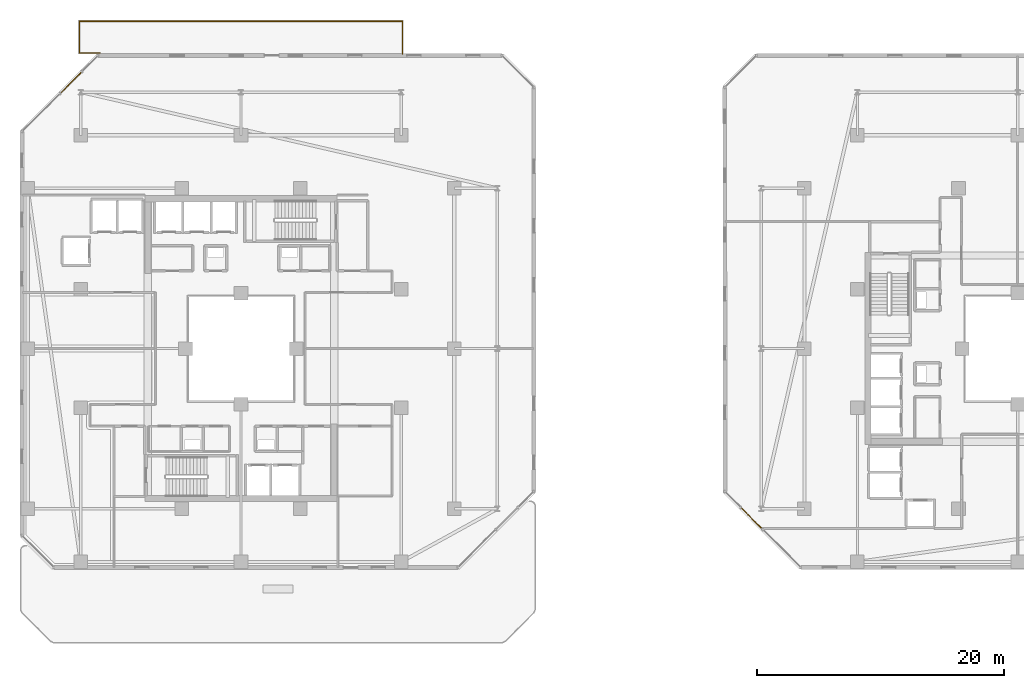
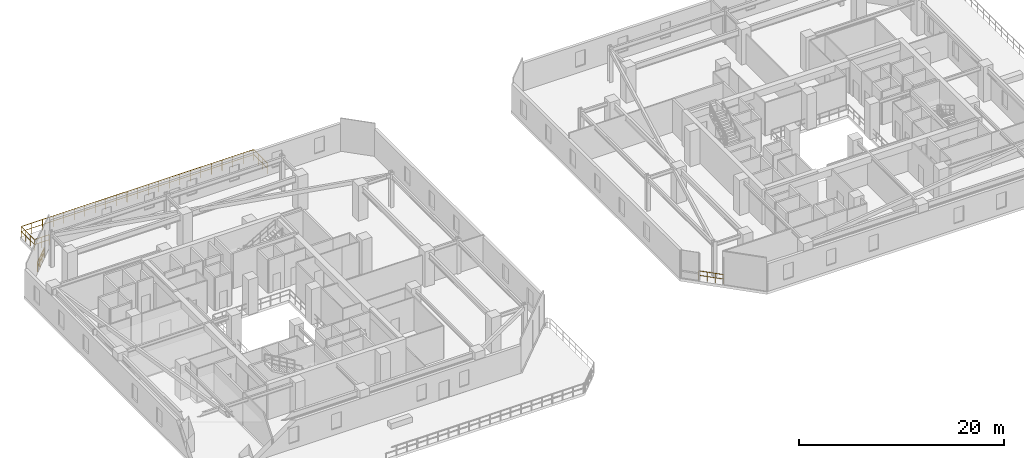
# One storey, part 31 of 33: 3 railings.
"""IFC4 building model written with IfcOpenShell, lengths in metres."""

from ifc_helpers import new_model, si_unit, direction, frame, origin, origin_2d, place, context, subcontext, project, spatial, rectangle, extrude, material, type_object, element, save


model = new_model("IFC4")

# Units and contexts
model_context = context("Model", 3, precision=1e-05, world=origin(), true_north=direction((0.0, 1.0)))
body_context = subcontext(model_context, "Body", "Model", "MODEL_VIEW")
ifc_project = project(units=[si_unit("LENGTHUNIT", "METRE"), si_unit("AREAUNIT", "SQUARE_METRE"), si_unit("VOLUMEUNIT", "CUBIC_METRE"), si_unit("PLANEANGLEUNIT", "RADIAN"), si_unit("MASSUNIT", "GRAM", prefix="KILO")], contexts=[model_context])

# Site, building, storey
site_placement = place(None, origin())
site = spatial("IfcSite", under=ifc_project, at=site_placement, CompositionType="ELEMENT")
building_placement = place(site_placement, origin())
building = spatial("IfcBuilding", under=site, at=building_placement, Name="Thornwick Lancets Civic Towers", CompositionType="ELEMENT")
storey_placement = place(building_placement, frame((0.0, 0.0, 174.300048828125)))
storey = spatial("IfcBuildingStorey", under=building, at=storey_placement, Name="L46", CompositionType="ELEMENT", Elevation=174.300048828125)

# Railings
ifc_material_1 = material(Name="Structural laminated glass wind-guard S355", Category="steel")
railing_type_1 = type_object("IfcRailingType", Name="RAIL_POOL_GUARD", PredefinedType="GUARDRAIL", material=ifc_material_1)
railing_1_placement = place(storey_placement, frame((14.050048828125, 50.97998046875, 0.0)))
element("IfcRailing", 1, at=railing_1_placement, inside=storey, type_object=railing_type_1, Name="L46 Cantilevered Sky Pool Guard", PredefinedType="GUARDRAIL", context=body_context, shape_type="SweptSolid", body=[
    extrude(rectangle(XDim=0.048095703125, YDim=0.048095703125, at=origin_2d()), frame((0.0, 0.0, 1.27587890625), z_axis=(-1.0, 0.0, 0.0), x_axis=(0.0, -1.0, 0.0)), (0.0, 0.0, 1.0), 1.618896484375),
    extrude(rectangle(XDim=0.0419921875, YDim=0.0419921875, at=origin_2d()), frame((-0.03759765625, 0.0, 0.676025390625), z_axis=(-1.0, 0.0, 0.0), x_axis=(0.0, -1.0, 0.0)), (0.0, 0.0, 1.0), 0.75),
    extrude(rectangle(XDim=0.0419921875, YDim=0.0419921875, at=origin_2d()), frame((-0.862548828125, 0.0, 0.676025390625), z_axis=(-1.0, 0.0, 0.0), x_axis=(0.0, -1.0, 0.0)), (0.0, 0.0, 1.0), 0.75),
    extrude(rectangle(XDim=0.048095703125, YDim=0.048095703125, at=origin_2d()), frame((-1.650146484375, 0.03125, 1.27587890625), z_axis=(0.0, 1.0, 0.0), x_axis=(-1.0, 0.0, 0.0)), (0.0, 0.0, 1.0), 2.507568359375),
    extrude(rectangle(XDim=0.0419921875, YDim=0.0419921875, at=origin_2d()), frame((-1.650146484375, 0.03759765625, 0.676025390625), z_axis=(0.0, 1.0, 0.0), x_axis=(-1.0, 0.0, 0.0)), (0.0, 0.0, 1.0), 0.78173828125),
    extrude(rectangle(XDim=0.0419921875, YDim=0.0419921875, at=origin_2d()), frame((-1.650146484375, 0.894287109375, 0.676025390625), z_axis=(0.0, 1.0, 0.0), x_axis=(-1.0, 0.0, 0.0)), (0.0, 0.0, 1.0), 0.78173828125),
    extrude(rectangle(XDim=0.0419921875, YDim=0.0419921875, at=origin_2d()), frame((-1.650146484375, 1.7509765625, 0.676025390625), z_axis=(0.0, 1.0, 0.0), x_axis=(-1.0, 0.0, 0.0)), (0.0, 0.0, 1.0), 0.78173828125),
    extrude(rectangle(XDim=0.048095703125, YDim=0.048095703125, at=origin_2d()), frame((-1.618896484375, 2.570068359375, 1.27587890625), z_axis=(1.0, 0.0, 0.0), x_axis=(0.0, 1.0, 0.0)), (0.0, 0.0, 1.0), 26.1376953125),
    extrude(rectangle(XDim=0.0419921875, YDim=0.0419921875, at=origin_2d()), frame((-1.612548828125, 2.570068359375, 0.676025390625), z_axis=(1.0, 0.0, 0.0), x_axis=(0.0, 1.0, 0.0)), (0.0, 0.0, 1.0), 1.115966796875),
    extrude(rectangle(XDim=0.0419921875, YDim=0.0419921875, at=origin_2d()), frame((-0.421630859375, 2.570068359375, 0.676025390625), z_axis=(1.0, 0.0, 0.0), x_axis=(0.0, 1.0, 0.0)), (0.0, 0.0, 1.0), 1.115966796875),
    extrude(rectangle(XDim=0.0419921875, YDim=0.0419921875, at=origin_2d()), frame((0.769287109375, 2.570068359375, 0.676025390625), z_axis=(1.0, 0.0, 0.0), x_axis=(0.0, 1.0, 0.0)), (0.0, 0.0, 1.0), 1.115966796875),
    extrude(rectangle(XDim=0.0419921875, YDim=0.0419921875, at=origin_2d()), frame((1.960205078125, 2.570068359375, 0.676025390625), z_axis=(1.0, 0.0, 0.0), x_axis=(0.0, 1.0, 0.0)), (0.0, 0.0, 1.0), 1.115966796875),
    extrude(rectangle(XDim=0.0419921875, YDim=0.0419921875, at=origin_2d()), frame((3.151123046875, 2.570068359375, 0.676025390625), z_axis=(1.0, 0.0, 0.0), x_axis=(0.0, 1.0, 0.0)), (0.0, 0.0, 1.0), 1.115966796875),
    extrude(rectangle(XDim=0.0419921875, YDim=0.0419921875, at=origin_2d()), frame((4.342041015625, 2.570068359375, 0.676025390625), z_axis=(1.0, 0.0, 0.0), x_axis=(0.0, 1.0, 0.0)), (0.0, 0.0, 1.0), 1.115966796875),
    extrude(rectangle(XDim=0.0419921875, YDim=0.0419921875, at=origin_2d()), frame((5.532958984375, 2.570068359375, 0.676025390625), z_axis=(1.0, 0.0, 0.0), x_axis=(0.0, 1.0, 0.0)), (0.0, 0.0, 1.0), 1.115966796875),
    extrude(rectangle(XDim=0.0419921875, YDim=0.0419921875, at=origin_2d()), frame((6.723876953125, 2.570068359375, 0.676025390625), z_axis=(1.0, 0.0, 0.0), x_axis=(0.0, 1.0, 0.0)), (0.0, 0.0, 1.0), 1.115966796875),
    extrude(rectangle(XDim=0.0419921875, YDim=0.0419921875, at=origin_2d()), frame((7.914794921875, 2.570068359375, 0.676025390625), z_axis=(1.0, 0.0, 0.0), x_axis=(0.0, 1.0, 0.0)), (0.0, 0.0, 1.0), 1.115966796875),
    extrude(rectangle(XDim=0.0419921875, YDim=0.0419921875, at=origin_2d()), frame((9.105712890625, 2.570068359375, 0.676025390625), z_axis=(1.0, 0.0, 0.0), x_axis=(0.0, 1.0, 0.0)), (0.0, 0.0, 1.0), 1.115966796875),
    extrude(rectangle(XDim=0.0419921875, YDim=0.0419921875, at=origin_2d()), frame((10.296630859375, 2.570068359375, 0.676025390625), z_axis=(1.0, 0.0, 0.0), x_axis=(0.0, 1.0, 0.0)), (0.0, 0.0, 1.0), 1.115966796875),
    extrude(rectangle(XDim=0.0419921875, YDim=0.0419921875, at=origin_2d()), frame((11.487548828125, 2.570068359375, 0.676025390625), z_axis=(1.0, 0.0, 0.0), x_axis=(0.0, 1.0, 0.0)), (0.0, 0.0, 1.0), 1.115966796875),
    extrude(rectangle(XDim=0.0419921875, YDim=0.0419921875, at=origin_2d()), frame((12.678466796875, 2.570068359375, 0.676025390625), z_axis=(1.0, 0.0, 0.0), x_axis=(0.0, 1.0, 0.0)), (0.0, 0.0, 1.0), 1.115966796875),
    extrude(rectangle(XDim=0.0419921875, YDim=0.0419921875, at=origin_2d()), frame((13.869384765625, 2.570068359375, 0.676025390625), z_axis=(1.0, 0.0, 0.0), x_axis=(0.0, 1.0, 0.0)), (0.0, 0.0, 1.0), 1.115966796875),
    extrude(rectangle(XDim=0.0419921875, YDim=0.0419921875, at=origin_2d()), frame((15.060302734375, 2.570068359375, 0.676025390625), z_axis=(1.0, 0.0, 0.0), x_axis=(0.0, 1.0, 0.0)), (0.0, 0.0, 1.0), 1.115966796875),
    extrude(rectangle(XDim=0.0419921875, YDim=0.0419921875, at=origin_2d()), frame((16.251220703125, 2.570068359375, 0.676025390625), z_axis=(1.0, 0.0, 0.0), x_axis=(0.0, 1.0, 0.0)), (0.0, 0.0, 1.0), 1.115966796875),
    extrude(rectangle(XDim=0.0419921875, YDim=0.0419921875, at=origin_2d()), frame((17.442138671875, 2.570068359375, 0.676025390625), z_axis=(1.0, 0.0, 0.0), x_axis=(0.0, 1.0, 0.0)), (0.0, 0.0, 1.0), 1.115966796875),
    extrude(rectangle(XDim=0.0419921875, YDim=0.0419921875, at=origin_2d()), frame((18.633056640625, 2.570068359375, 0.676025390625), z_axis=(1.0, 0.0, 0.0), x_axis=(0.0, 1.0, 0.0)), (0.0, 0.0, 1.0), 1.115966796875),
    extrude(rectangle(XDim=0.0419921875, YDim=0.0419921875, at=origin_2d()), frame((19.823974609375, 2.570068359375, 0.676025390625), z_axis=(1.0, 0.0, 0.0), x_axis=(0.0, 1.0, 0.0)), (0.0, 0.0, 1.0), 1.115966796875),
    extrude(rectangle(XDim=0.0419921875, YDim=0.0419921875, at=origin_2d()), frame((21.014892578125, 2.570068359375, 0.676025390625), z_axis=(1.0, 0.0, 0.0), x_axis=(0.0, 1.0, 0.0)), (0.0, 0.0, 1.0), 1.115966796875),
    extrude(rectangle(XDim=0.0419921875, YDim=0.0419921875, at=origin_2d()), frame((22.205810546875, 2.570068359375, 0.676025390625), z_axis=(1.0, 0.0, 0.0), x_axis=(0.0, 1.0, 0.0)), (0.0, 0.0, 1.0), 1.115966796875),
    extrude(rectangle(XDim=0.0419921875, YDim=0.0419921875, at=origin_2d()), frame((23.396728515625, 2.570068359375, 0.676025390625), z_axis=(1.0, 0.0, 0.0), x_axis=(0.0, 1.0, 0.0)), (0.0, 0.0, 1.0), 1.115966796875),
    extrude(rectangle(XDim=0.048095703125, YDim=0.048095703125, at=origin_2d()), frame((24.550048828125, 2.538818359375, 1.27587890625), z_axis=(0.0, -1.0, 0.0), x_axis=(1.0, 0.0, 0.0)), (0.0, 0.0, 1.0), 2.618896484375),
    extrude(rectangle(XDim=0.0419921875, YDim=0.0419921875, at=origin_2d()), frame((24.550048828125, 2.532470703125, 0.676025390625), z_axis=(0.0, -1.0, 0.0), x_axis=(1.0, 0.0, 0.0)), (0.0, 0.0, 1.0), 0.808349609375),
    extrude(rectangle(XDim=0.0419921875, YDim=0.0419921875, at=origin_2d()), frame((24.550048828125, 1.649169921875, 0.676025390625), z_axis=(0.0, -1.0, 0.0), x_axis=(1.0, 0.0, 0.0)), (0.0, 0.0, 1.0), 0.808349609375),
    extrude(rectangle(XDim=0.0419921875, YDim=0.0419921875, at=origin_2d()), frame((24.550048828125, 0.765869140625, 0.676025390625), z_axis=(0.0, -1.0, 0.0), x_axis=(1.0, 0.0, 0.0)), (0.0, 0.0, 1.0), 0.808349609375),
    extrude(rectangle(XDim=0.0419921875, YDim=0.0419921875, at=origin_2d()), origin(), (0.0, 0.0, 1.0), 1.245849609375),
    extrude(rectangle(XDim=0.0419921875, YDim=0.0419921875, at=origin_2d()), frame((-0.8251953125, 0.0, 0.0)), (0.0, 0.0, 1.0), 1.245849609375),
    extrude(rectangle(XDim=0.0419921875, YDim=0.0419921875, at=origin_2d()), frame((-1.650146484375, 0.0, 0.0)), (0.0, 0.0, 1.0), 1.245849609375),
    extrude(rectangle(XDim=0.0419921875, YDim=0.0419921875, at=origin_2d()), frame((-1.650146484375, 0.856689453125, 0.0)), (0.0, 0.0, 1.0), 1.245849609375),
    extrude(rectangle(XDim=0.0419921875, YDim=0.0419921875, at=origin_2d()), frame((-1.650146484375, 1.71337890625, 0.0)), (0.0, 0.0, 1.0), 1.245849609375),
    extrude(rectangle(XDim=0.0419921875, YDim=0.0419921875, at=origin_2d()), frame((-1.650146484375, 2.570068359375, 0.0)), (0.0, 0.0, 1.0), 1.245849609375),
    extrude(rectangle(XDim=0.0419921875, YDim=0.0419921875, at=origin_2d()), frame((-0.459228515625, 2.570068359375, 0.0)), (0.0, 0.0, 1.0), 1.245849609375),
    extrude(rectangle(XDim=0.0419921875, YDim=0.0419921875, at=origin_2d()), frame((0.731689453125, 2.570068359375, 0.0)), (0.0, 0.0, 1.0), 1.245849609375),
    extrude(rectangle(XDim=0.0419921875, YDim=0.0419921875, at=origin_2d()), frame((1.922607421875, 2.570068359375, 0.0)), (0.0, 0.0, 1.0), 1.245849609375),
    extrude(rectangle(XDim=0.0419921875, YDim=0.0419921875, at=origin_2d()), frame((3.113525390625, 2.570068359375, 0.0)), (0.0, 0.0, 1.0), 1.245849609375),
    extrude(rectangle(XDim=0.0419921875, YDim=0.0419921875, at=origin_2d()), frame((4.304443359375, 2.570068359375, 0.0)), (0.0, 0.0, 1.0), 1.245849609375),
    extrude(rectangle(XDim=0.0419921875, YDim=0.0419921875, at=origin_2d()), frame((5.495361328125, 2.570068359375, 0.0)), (0.0, 0.0, 1.0), 1.245849609375),
    extrude(rectangle(XDim=0.0419921875, YDim=0.0419921875, at=origin_2d()), frame((6.686279296875, 2.570068359375, 0.0)), (0.0, 0.0, 1.0), 1.245849609375),
    extrude(rectangle(XDim=0.0419921875, YDim=0.0419921875, at=origin_2d()), frame((7.877197265625, 2.570068359375, 0.0)), (0.0, 0.0, 1.0), 1.245849609375),
    extrude(rectangle(XDim=0.0419921875, YDim=0.0419921875, at=origin_2d()), frame((9.068115234375, 2.570068359375, 0.0)), (0.0, 0.0, 1.0), 1.245849609375),
    extrude(rectangle(XDim=0.0419921875, YDim=0.0419921875, at=origin_2d()), frame((10.259033203125, 2.570068359375, 0.0)), (0.0, 0.0, 1.0), 1.245849609375),
    extrude(rectangle(XDim=0.0419921875, YDim=0.0419921875, at=origin_2d()), frame((11.449951171875, 2.570068359375, 0.0)), (0.0, 0.0, 1.0), 1.245849609375),
    extrude(rectangle(XDim=0.0419921875, YDim=0.0419921875, at=origin_2d()), frame((12.640869140625, 2.570068359375, 0.0)), (0.0, 0.0, 1.0), 1.245849609375),
    extrude(rectangle(XDim=0.0419921875, YDim=0.0419921875, at=origin_2d()), frame((13.831787109375, 2.570068359375, 0.0)), (0.0, 0.0, 1.0), 1.245849609375),
    extrude(rectangle(XDim=0.0419921875, YDim=0.0419921875, at=origin_2d()), frame((15.022705078125, 2.570068359375, 0.0)), (0.0, 0.0, 1.0), 1.245849609375),
    extrude(rectangle(XDim=0.0419921875, YDim=0.0419921875, at=origin_2d()), frame((16.213623046875, 2.570068359375, 0.0)), (0.0, 0.0, 1.0), 1.245849609375),
    extrude(rectangle(XDim=0.0419921875, YDim=0.0419921875, at=origin_2d()), frame((17.404541015625, 2.570068359375, 0.0)), (0.0, 0.0, 1.0), 1.245849609375),
    extrude(rectangle(XDim=0.0419921875, YDim=0.0419921875, at=origin_2d()), frame((18.595458984375, 2.570068359375, 0.0)), (0.0, 0.0, 1.0), 1.245849609375),
    extrude(rectangle(XDim=0.0419921875, YDim=0.0419921875, at=origin_2d()), frame((19.786376953125, 2.570068359375, 0.0)), (0.0, 0.0, 1.0), 1.245849609375),
    extrude(rectangle(XDim=0.0419921875, YDim=0.0419921875, at=origin_2d()), frame((20.977294921875, 2.570068359375, 0.0)), (0.0, 0.0, 1.0), 1.245849609375),
    extrude(rectangle(XDim=0.0419921875, YDim=0.0419921875, at=origin_2d()), frame((22.168212890625, 2.570068359375, 0.0)), (0.0, 0.0, 1.0), 1.245849609375),
    extrude(rectangle(XDim=0.0419921875, YDim=0.0419921875, at=origin_2d()), frame((23.359130859375, 2.570068359375, 0.0)), (0.0, 0.0, 1.0), 1.245849609375),
    extrude(rectangle(XDim=0.0419921875, YDim=0.0419921875, at=origin_2d()), frame((24.550048828125, 2.570068359375, 0.0)), (0.0, 0.0, 1.0), 1.245849609375),
    extrude(rectangle(XDim=0.0419921875, YDim=0.0419921875, at=origin_2d()), frame((24.550048828125, 1.686767578125, 0.0)), (0.0, 0.0, 1.0), 1.245849609375),
    extrude(rectangle(XDim=0.0419921875, YDim=0.0419921875, at=origin_2d()), frame((24.550048828125, 0.80322265625, 0.0)), (0.0, 0.0, 1.0), 1.245849609375),
    extrude(rectangle(XDim=0.0419921875, YDim=0.0419921875, at=origin_2d()), frame((24.550048828125, -0.080078125, 0.0)), (0.0, 0.0, 1.0), 1.245849609375),
])
ifc_material_2 = material(Name="Terracotta-capped laminated glass balustrade S355", Category="masonry")
railing_type_2 = type_object("IfcRailingType", Name="RAIL_TERR_GUARD", PredefinedType="GUARDRAIL", material=ifc_material_2)
railing_2_placement = place(storey_placement, frame((12.609375, 49.45849609375, 0.0)))
element("IfcRailing", 2, at=railing_2_placement, inside=storey, type_object=railing_type_2, Name="L46 Tower A Chamfer Spandrel Guard E5-1", PredefinedType="GUARDRAIL", context=body_context, shape_type="SweptSolid", body=[
    extrude(rectangle(XDim=0.048095703125, YDim=0.048095703125, at=origin_2d()), frame((0.0, 0.0, 1.1259765625), z_axis=(-0.707106781187, -0.707106781187, 0.0), x_axis=(0.707106781187, -0.707106781187, 0.0)), (0.0, 0.0, 1.0), 2.5),
    extrude(rectangle(XDim=0.0419921875, YDim=0.0419921875, at=origin_2d()), frame((-0.026611328125, -0.026611328125, 0.597900390625), z_axis=(-0.707106781187, -0.707106781187, 0.0), x_axis=(0.707106781187, -0.707106781187, 0.0)), (0.0, 0.0, 1.0), 0.75830078125),
    extrude(rectangle(XDim=0.0419921875, YDim=0.0419921875, at=origin_2d()), frame((-0.61572265625, -0.61572265625, 0.597900390625), z_axis=(-0.707106781187, -0.707106781187, 0.0), x_axis=(0.707106781187, -0.707106781187, 0.0)), (0.0, 0.0, 1.0), 0.75830078125),
    extrude(rectangle(XDim=0.0419921875, YDim=0.0419921875, at=origin_2d()), frame((-1.205078125, -1.205078125, 0.597900390625), z_axis=(-0.707106781187, -0.707106781187, 0.0), x_axis=(0.707106781187, -0.707106781187, 0.0)), (0.0, 0.0, 1.0), 0.75830078125),
    extrude(rectangle(XDim=0.0419921875, YDim=0.0419921875, at=origin_2d()), origin(), (0.0, 0.0, 1.0), 1.095703125),
    extrude(rectangle(XDim=0.0419921875, YDim=0.0419921875, at=origin_2d()), frame((-0.58935546875, -0.58935546875, 0.0)), (0.0, 0.0, 1.0), 1.095703125),
    extrude(rectangle(XDim=0.0419921875, YDim=0.0419921875, at=origin_2d()), frame((-1.178466796875, -1.178466796875, 0.0)), (0.0, 0.0, 1.0), 1.095703125),
    extrude(rectangle(XDim=0.0419921875, YDim=0.0419921875, at=origin_2d()), frame((-1.767822265625, -1.767822265625, 0.0)), (0.0, 0.0, 1.0), 1.095703125),
])
railing_3_placement = place(storey_placement, frame((66.04150390625, 14.109375, 0.0)))
element("IfcRailing", 3, at=railing_3_placement, inside=storey, type_object=railing_type_2, Name="L46 Tower B Chamfer Spandrel Guard E7-1", PredefinedType="GUARDRAIL", context=body_context, shape_type="SweptSolid", body=[
    extrude(rectangle(XDim=0.048095703125, YDim=0.048095703125, at=origin_2d()), frame((0.0, 0.0, 1.1259765625), z_axis=(0.707106781187, -0.707106781187, 0.0), x_axis=(0.707106781187, 0.707106781187, 0.0)), (0.0, 0.0, 1.0), 2.5),
    extrude(rectangle(XDim=0.0419921875, YDim=0.0419921875, at=origin_2d()), frame((0.026611328125, -0.026611328125, 0.597900390625), z_axis=(0.707106781187, -0.707106781187, 0.0), x_axis=(0.707106781187, 0.707106781187, 0.0)), (0.0, 0.0, 1.0), 0.75830078125),
    extrude(rectangle(XDim=0.0419921875, YDim=0.0419921875, at=origin_2d()), frame((0.61572265625, -0.61572265625, 0.597900390625), z_axis=(0.707106781187, -0.707106781187, 0.0), x_axis=(0.707106781187, 0.707106781187, 0.0)), (0.0, 0.0, 1.0), 0.75830078125),
    extrude(rectangle(XDim=0.0419921875, YDim=0.0419921875, at=origin_2d()), frame((1.205078125, -1.205078125, 0.597900390625), z_axis=(0.707106781187, -0.707106781187, 0.0), x_axis=(0.707106781187, 0.707106781187, 0.0)), (0.0, 0.0, 1.0), 0.75830078125),
    extrude(rectangle(XDim=0.0419921875, YDim=0.0419921875, at=origin_2d()), origin(), (0.0, 0.0, 1.0), 1.095703125),
    extrude(rectangle(XDim=0.0419921875, YDim=0.0419921875, at=origin_2d()), frame((0.58935546875, -0.58935546875, 0.0)), (0.0, 0.0, 1.0), 1.095703125),
    extrude(rectangle(XDim=0.0419921875, YDim=0.0419921875, at=origin_2d()), frame((1.178466796875, -1.178466796875, 0.0)), (0.0, 0.0, 1.0), 1.095703125),
    extrude(rectangle(XDim=0.0419921875, YDim=0.0419921875, at=origin_2d()), frame((1.767822265625, -1.767822265625, 0.0)), (0.0, 0.0, 1.0), 1.095703125),
])

save(model, "model.ifc")
